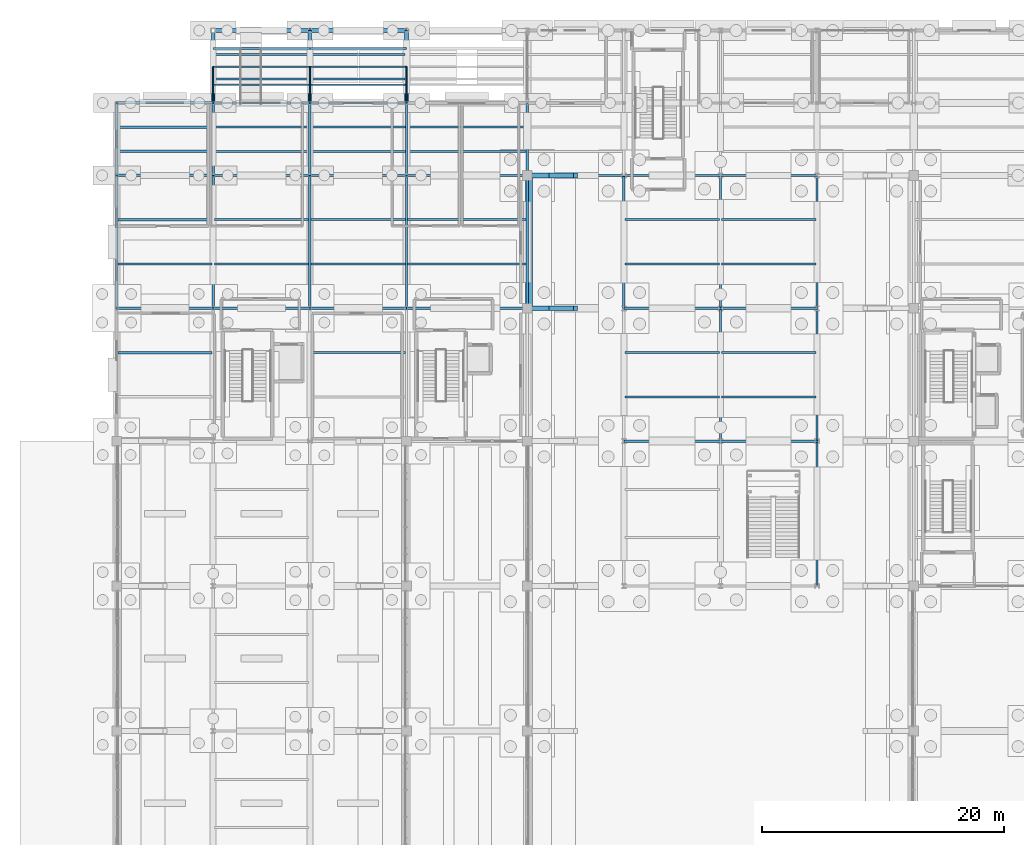
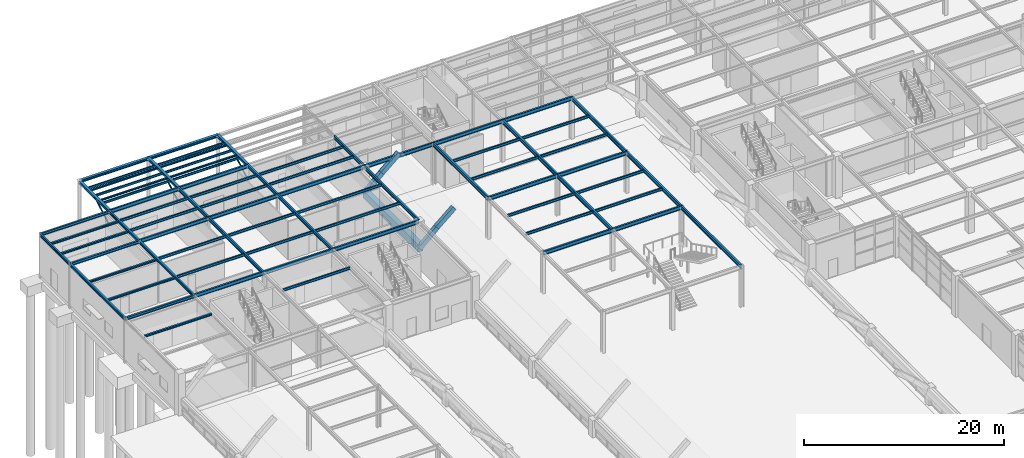
# One storey, part 56 of 129: 74 beams, 9 members.
"""IFC4 building model written with IfcOpenShell, lengths in metres."""

from ifc_helpers import new_model, si_unit, direction, frame, origin, origin_2d, place, context, subcontext, project, spatial, rectangle, hollow_circle, i_section, extrude, material, material_profile, profile_set, type_object, element, save


model = new_model("IFC4")

# Units and contexts
model_context = context("Model", 3, precision=1e-05, world=origin(), true_north=direction((0.0, 1.0)))
body_context = subcontext(model_context, "Body", "Model", "MODEL_VIEW")
ifc_project = project(units=[si_unit("LENGTHUNIT", "METRE"), si_unit("AREAUNIT", "SQUARE_METRE"), si_unit("VOLUMEUNIT", "CUBIC_METRE"), si_unit("PLANEANGLEUNIT", "RADIAN"), si_unit("MASSUNIT", "GRAM", prefix="KILO")], contexts=[model_context])

# Site, building, storey
site_placement = place(None, origin())
site = spatial("IfcSite", under=ifc_project, at=site_placement, CompositionType="ELEMENT")
building_placement = place(site_placement, origin())
building = spatial("IfcBuilding", under=site, at=building_placement, Name="Sitalva Quay Ferry Terminal", CompositionType="ELEMENT")
storey_placement = place(building_placement, origin())
storey = spatial("IfcBuildingStorey", under=building, at=storey_placement, Name="L01", CompositionType="ELEMENT", Elevation=0.0)

# Beams
ifc_material_1 = material(Name="Concrete C40/50", Category="concrete")
ifc_material_profile_1 = material_profile(ifc_material_1, rectangle(XDim=0.39990234375, YDim=0.550048828125, at=origin_2d()), Name="RC400x550")
ifc_profile_set_1 = profile_set([ifc_material_profile_1], Name="Concrete C40/50")
beam_type_1 = type_object("IfcBeamType", Name="Beam_Arch_RC400x550", PredefinedType="BEAM", material=ifc_profile_set_1)
beam_1_placement = place(storey_placement, frame((42.0, 89.0, 1.6044921875), z_axis=(0.725680279623, 0.0, 0.688032071757), x_axis=(0.0, 1.0, 0.0)))
element("IfcBeam", 1, at=beam_1_placement, inside=storey, type_object=beam_type_1, Name="Vault V1 transverse arch rib 8.1", PredefinedType="BEAM", context=body_context, shape_type="SweptSolid", body=[
    extrude(rectangle(XDim=0.39990234375, YDim=0.550048828125, at=origin_2d()), origin(), (0.0, 0.0, 1.0), 2.756103515625),
])
beam_2_placement = place(storey_placement, frame((44.0, 89.0, 3.5107421875), z_axis=(0.760297282494, 0.0, 0.649575278342), x_axis=(0.0, 1.0, 0.0)))
element("IfcBeam", 2, at=beam_2_placement, inside=storey, type_object=beam_type_1, Name="Vault V1 transverse arch rib 8.2", PredefinedType="BEAM", context=body_context, shape_type="SweptSolid", body=[
    extrude(rectangle(XDim=0.39990234375, YDim=0.550048828125, at=origin_2d()), origin(), (0.0, 0.0, 1.0), 2.630615234375),
])
beam_3_placement = place(storey_placement, frame((42.0, 100.0, 1.6044921875), z_axis=(0.725680279623, 0.0, 0.688032071757), x_axis=(0.0, 1.0, 0.0)))
element("IfcBeam", 3, at=beam_3_placement, inside=storey, type_object=beam_type_1, Name="Vault V1 transverse arch rib 9.1", PredefinedType="BEAM", context=body_context, shape_type="SweptSolid", body=[
    extrude(rectangle(XDim=0.39990234375, YDim=0.550048828125, at=origin_2d()), origin(), (0.0, 0.0, 1.0), 2.756103515625),
])
beam_4_placement = place(storey_placement, frame((44.0, 100.0, 3.5107421875), z_axis=(0.760297282494, 0.0, 0.649575278342), x_axis=(0.0, 1.0, 0.0)))
element("IfcBeam", 4, at=beam_4_placement, inside=storey, type_object=beam_type_1, Name="Vault V1 transverse arch rib 9.2", PredefinedType="BEAM", context=body_context, shape_type="SweptSolid", body=[
    extrude(rectangle(XDim=0.39990234375, YDim=0.550048828125, at=origin_2d()), origin(), (0.0, 0.0, 1.0), 2.630615234375),
])
ifc_material_2 = material(Name="Concrete C40/50", Category="concrete")
ifc_material_profile_2 = material_profile(ifc_material_2, rectangle(XDim=0.60009765625, YDim=0.949951171875, at=origin_2d()), Name="RC600x950")
ifc_profile_set_2 = profile_set([ifc_material_profile_2], Name="Concrete C40/50")
beam_type_2 = type_object("IfcBeamType", Name="Beam_Edge_RC600x950", PredefinedType="BEAM", material=ifc_profile_set_2)
beam_5_placement = place(storey_placement, frame((42.14990234375, 89.0, 1.625), z_axis=(0.0, 1.0, 0.0), x_axis=(-1.0, 0.0, 0.0)))
element("IfcBeam", 5, at=beam_5_placement, inside=storey, type_object=beam_type_2, Name="Vault V1 longitudinal springing edge beam W bay 8", PredefinedType="BEAM", context=body_context, shape_type="SweptSolid", body=[
    extrude(rectangle(XDim=0.60009765625, YDim=0.949951171875, at=origin_2d()), origin(), (0.0, 0.0, 1.0), 11.0),
])
ifc_material_3 = material(Name="Structural Steel S355JR", Category="steel")
ifc_material_profile_3 = material_profile(ifc_material_3, i_section(OverallWidth=0.305908203125, OverallDepth=0.31103515625, WebThickness=0.010986328125, FlangeThickness=0.01708984375, FilletRadius=0.014892578125, at=origin_2d()), Name="W310x107")
ifc_profile_set_3 = profile_set([ifc_material_profile_3], Name="Structural Steel S355JR")
beam_type_3 = type_object("IfcBeamType", Name="Beam_W310x107", PredefinedType="BEAM", material=ifc_profile_set_3)
for number, where, z_axis, x_axis, name in (
    (6, (16.0, 112.0, 4.964599609375), (1.0, 0.0, 0.0), (0.0, 1.0, 0.0), "L01 Primary X girder 0667"),
    (7, (24.0, 112.0, 4.964599609375), (1.0, 0.0, 0.0), (0.0, 1.0, 0.0), "L01 Primary X girder 0668"),
):
    element("IfcBeam", number, at=place(storey_placement, frame(where, z_axis=z_axis, x_axis=x_axis)), inside=storey, type_object=beam_type_3, Name=name, PredefinedType="BEAM", context=body_context, shape_type="SweptSolid", body=[
        extrude(i_section(OverallWidth=0.305908203125, OverallDepth=0.31103515625, WebThickness=0.010986328125, FlangeThickness=0.01708984375, FilletRadius=0.014892578125, at=origin_2d()), origin(), (0.0, 0.0, 1.0), 8.0),
    ])
for number, where, z_axis, x_axis, name in (
    (8, (16.0, 106.0, 4.964599609375), (0.0, 1.0, 0.0), (-1.0, 0.0, 0.0), "L01 Primary Y girder 0670"),
    (9, (24.0, 106.0, 4.964599609375), (0.0, 1.0, 0.0), (-1.0, 0.0, 0.0), "L01 Primary Y girder 0671"),
    (10, (32.0, 106.0, 4.964599609375), (0.0, 1.0, 0.0), (-1.0, 0.0, 0.0), "L01 Primary Y girder 0672"),
):
    element("IfcBeam", number, at=place(storey_placement, frame(where, z_axis=z_axis, x_axis=x_axis)), inside=storey, type_object=beam_type_3, Name=name, PredefinedType="BEAM", context=body_context, shape_type="SweptSolid", body=[
        extrude(i_section(OverallWidth=0.305908203125, OverallDepth=0.31103515625, WebThickness=0.010986328125, FlangeThickness=0.01708984375, FilletRadius=0.014892578125, at=origin_2d()), origin(), (0.0, 0.0, 1.0), 6.0),
    ])
ifc_material_4 = material(Name="Structural Steel S355JR", Category="steel")
ifc_material_profile_4 = material_profile(ifc_material_4, i_section(OverallWidth=0.205078125, OverallDepth=0.35400390625, WebThickness=0.009521484375, FlangeThickness=0.016845703125, FilletRadius=0.012939453125, at=origin_2d()), Name="W360x79")
ifc_profile_set_4 = profile_set([ifc_material_profile_4], Name="Structural Steel S355JR")
beam_type_4 = type_object("IfcBeamType", Name="Beam_W360x79", PredefinedType="BEAM", material=ifc_profile_set_4)
for number, where, z_axis, x_axis, name in (
    (11, (8.0, 89.0, 4.873046875), (1.0, 0.0, 0.0), (0.0, 1.0, 0.0), "L01 Primary X girder 0442"),
    (12, (8.0, 100.0, 4.873046875), (1.0, 0.0, 0.0), (0.0, 1.0, 0.0), "L01 Primary X girder 0443"),
    (13, (8.0, 106.0, 4.873046875), (1.0, 0.0, 0.0), (0.0, 1.0, 0.0), "L01 Primary X girder 0444"),
):
    element("IfcBeam", number, at=place(storey_placement, frame(where, z_axis=z_axis, x_axis=x_axis)), inside=storey, type_object=beam_type_4, Name=name, PredefinedType="BEAM", context=body_context, shape_type="SweptSolid", body=[
        extrude(i_section(OverallWidth=0.205078125, OverallDepth=0.35400390625, WebThickness=0.009521484375, FlangeThickness=0.016845703125, FilletRadius=0.012939453125, at=origin_2d()), origin(), (0.0, 0.0, 1.0), 8.0),
    ])
beam_6_placement = place(storey_placement, frame((8.0, 89.0, 4.873046875), z_axis=(0.0, 1.0, 0.0), x_axis=(-1.0, 0.0, 0.0)))
element("IfcBeam", 14, at=beam_6_placement, inside=storey, type_object=beam_type_4, Name="L01 Primary Y girder 0446", PredefinedType="BEAM", context=body_context, shape_type="SweptSolid", body=[
    extrude(i_section(OverallWidth=0.205078125, OverallDepth=0.35400390625, WebThickness=0.009521484375, FlangeThickness=0.016845703125, FilletRadius=0.012939453125, at=origin_2d()), origin(), (0.0, 0.0, 1.0), 11.0),
])
beam_7_placement = place(storey_placement, frame((8.0, 100.0, 4.873046875), z_axis=(0.0, 1.0, 0.0), x_axis=(-1.0, 0.0, 0.0)))
element("IfcBeam", 15, at=beam_7_placement, inside=storey, type_object=beam_type_4, Name="L01 Primary Y girder 0447", PredefinedType="BEAM", context=body_context, shape_type="SweptSolid", body=[
    extrude(i_section(OverallWidth=0.205078125, OverallDepth=0.35400390625, WebThickness=0.009521484375, FlangeThickness=0.016845703125, FilletRadius=0.012939453125, at=origin_2d()), origin(), (0.0, 0.0, 1.0), 6.0),
])
beam_8_placement = place(storey_placement, frame((16.0, 89.0, 4.873046875), z_axis=(0.0, 1.0, 0.0), x_axis=(-1.0, 0.0, 0.0)))
element("IfcBeam", 16, at=beam_8_placement, inside=storey, type_object=beam_type_4, Name="L01 Primary Y girder 0449", PredefinedType="BEAM", context=body_context, shape_type="SweptSolid", body=[
    extrude(i_section(OverallWidth=0.205078125, OverallDepth=0.35400390625, WebThickness=0.009521484375, FlangeThickness=0.016845703125, FilletRadius=0.012939453125, at=origin_2d()), origin(), (0.0, 0.0, 1.0), 11.0),
])
beam_9_placement = place(storey_placement, frame((16.0, 100.0, 4.873046875), z_axis=(0.0, 1.0, 0.0), x_axis=(-1.0, 0.0, 0.0)))
element("IfcBeam", 17, at=beam_9_placement, inside=storey, type_object=beam_type_4, Name="L01 Primary Y girder 0450", PredefinedType="BEAM", context=body_context, shape_type="SweptSolid", body=[
    extrude(i_section(OverallWidth=0.205078125, OverallDepth=0.35400390625, WebThickness=0.009521484375, FlangeThickness=0.016845703125, FilletRadius=0.012939453125, at=origin_2d()), origin(), (0.0, 0.0, 1.0), 6.0),
])
ifc_material_5 = material(Name="Structural Steel S355JR", Category="steel")
ifc_material_profile_5 = material_profile(ifc_material_5, i_section(OverallWidth=0.180908203125, OverallDepth=0.4169921875, WebThickness=0.010986328125, FlangeThickness=0.018310546875, FilletRadius=0.012939453125, at=origin_2d()), Name="W410x85")
ifc_profile_set_5 = profile_set([ifc_material_profile_5], Name="Structural Steel S355JR")
beam_type_5 = type_object("IfcBeamType", Name="Beam_W410x85", PredefinedType="BEAM", material=ifc_profile_set_5)
beam_10_placement = place(storey_placement, frame((24.0, 89.0, 4.91162109375), z_axis=(0.0, 1.0, 0.0), x_axis=(-1.0, 0.0, 0.0)))
element("IfcBeam", 18, at=beam_10_placement, inside=storey, type_object=beam_type_5, Name="L01 Primary Y girder 0469", PredefinedType="BEAM", context=body_context, shape_type="SweptSolid", body=[
    extrude(i_section(OverallWidth=0.180908203125, OverallDepth=0.4169921875, WebThickness=0.010986328125, FlangeThickness=0.018310546875, FilletRadius=0.012939453125, at=origin_2d()), origin(), (0.0, 0.0, 1.0), 11.0),
])
beam_11_placement = place(storey_placement, frame((24.0, 100.0, 4.91162109375), z_axis=(0.0, 1.0, 0.0), x_axis=(-1.0, 0.0, 0.0)))
element("IfcBeam", 19, at=beam_11_placement, inside=storey, type_object=beam_type_5, Name="L01 Primary Y girder 0470", PredefinedType="BEAM", context=body_context, shape_type="SweptSolid", body=[
    extrude(i_section(OverallWidth=0.180908203125, OverallDepth=0.4169921875, WebThickness=0.010986328125, FlangeThickness=0.018310546875, FilletRadius=0.012939453125, at=origin_2d()), origin(), (0.0, 0.0, 1.0), 6.0),
])
beam_12_placement = place(storey_placement, frame((32.0, 89.0, 4.91162109375), z_axis=(0.0, 1.0, 0.0), x_axis=(-1.0, 0.0, 0.0)))
element("IfcBeam", 20, at=beam_12_placement, inside=storey, type_object=beam_type_5, Name="L01 Primary Y girder 0472", PredefinedType="BEAM", context=body_context, shape_type="SweptSolid", body=[
    extrude(i_section(OverallWidth=0.180908203125, OverallDepth=0.4169921875, WebThickness=0.010986328125, FlangeThickness=0.018310546875, FilletRadius=0.012939453125, at=origin_2d()), origin(), (0.0, 0.0, 1.0), 11.0),
])
beam_13_placement = place(storey_placement, frame((32.0, 100.0, 4.91162109375), z_axis=(0.0, 1.0, 0.0), x_axis=(-1.0, 0.0, 0.0)))
element("IfcBeam", 21, at=beam_13_placement, inside=storey, type_object=beam_type_5, Name="L01 Primary Y girder 0473", PredefinedType="BEAM", context=body_context, shape_type="SweptSolid", body=[
    extrude(i_section(OverallWidth=0.180908203125, OverallDepth=0.4169921875, WebThickness=0.010986328125, FlangeThickness=0.018310546875, FilletRadius=0.012939453125, at=origin_2d()), origin(), (0.0, 0.0, 1.0), 6.0),
])
beam_14_placement = place(storey_placement, frame((42.0, 89.0, 4.91162109375), z_axis=(0.0, 1.0, 0.0), x_axis=(-1.0, 0.0, 0.0)))
element("IfcBeam", 22, at=beam_14_placement, inside=storey, type_object=beam_type_5, Name="L01 Primary Y girder 0475", PredefinedType="BEAM", context=body_context, shape_type="SweptSolid", body=[
    extrude(i_section(OverallWidth=0.180908203125, OverallDepth=0.4169921875, WebThickness=0.010986328125, FlangeThickness=0.018310546875, FilletRadius=0.012939453125, at=origin_2d()), origin(), (0.0, 0.0, 1.0), 11.0),
])
beam_15_placement = place(storey_placement, frame((42.0, 100.0, 4.91162109375), z_axis=(0.0, 1.0, 0.0), x_axis=(-1.0, 0.0, 0.0)))
element("IfcBeam", 23, at=beam_15_placement, inside=storey, type_object=beam_type_5, Name="L01 Primary Y girder 0476", PredefinedType="BEAM", context=body_context, shape_type="SweptSolid", body=[
    extrude(i_section(OverallWidth=0.180908203125, OverallDepth=0.4169921875, WebThickness=0.010986328125, FlangeThickness=0.018310546875, FilletRadius=0.012939453125, at=origin_2d()), origin(), (0.0, 0.0, 1.0), 6.0),
])
ifc_material_6 = material(Name="Structural Steel S355JR", Category="steel")
ifc_material_profile_6 = material_profile(ifc_material_6, i_section(OverallWidth=0.19091796875, OverallDepth=0.4599609375, WebThickness=0.010009765625, FlangeThickness=0.01611328125, FilletRadius=0.013916015625, at=origin_2d()), Name="W460x82")
ifc_profile_set_6 = profile_set([ifc_material_profile_6], Name="Structural Steel S355JR")
beam_type_6 = type_object("IfcBeamType", Name="Beam_W460x82", PredefinedType="BEAM", material=ifc_profile_set_6)
for number, where, z_axis, x_axis, name in (
    (24, (16.0, 89.0, 4.889892578125), (1.0, 0.0, 0.0), (0.0, 1.0, 0.0), "L01 Primary X girder 0459"),
    (25, (24.0, 89.0, 4.889892578125), (1.0, 0.0, 0.0), (0.0, 1.0, 0.0), "L01 Primary X girder 0460"),
):
    element("IfcBeam", number, at=place(storey_placement, frame(where, z_axis=z_axis, x_axis=x_axis)), inside=storey, type_object=beam_type_6, Name=name, PredefinedType="BEAM", context=body_context, shape_type="SweptSolid", body=[
        extrude(i_section(OverallWidth=0.19091796875, OverallDepth=0.4599609375, WebThickness=0.010009765625, FlangeThickness=0.01611328125, FilletRadius=0.013916015625, at=origin_2d()), origin(), (0.0, 0.0, 1.0), 8.0),
    ])
beam_16_placement = place(storey_placement, frame((32.0, 89.0, 4.889892578125), z_axis=(1.0, 0.0, 0.0), x_axis=(0.0, 1.0, 0.0)))
element("IfcBeam", 26, at=beam_16_placement, inside=storey, type_object=beam_type_6, Name="L01 Primary X girder 0461", PredefinedType="BEAM", context=body_context, shape_type="SweptSolid", body=[
    extrude(i_section(OverallWidth=0.19091796875, OverallDepth=0.4599609375, WebThickness=0.010009765625, FlangeThickness=0.01611328125, FilletRadius=0.013916015625, at=origin_2d()), origin(), (0.0, 0.0, 1.0), 10.0),
])
for number, where, z_axis, x_axis, name in (
    (27, (16.0, 100.0, 4.889892578125), (1.0, 0.0, 0.0), (0.0, 1.0, 0.0), "L01 Primary X girder 0462"),
    (28, (24.0, 100.0, 4.889892578125), (1.0, 0.0, 0.0), (0.0, 1.0, 0.0), "L01 Primary X girder 0463"),
):
    element("IfcBeam", number, at=place(storey_placement, frame(where, z_axis=z_axis, x_axis=x_axis)), inside=storey, type_object=beam_type_6, Name=name, PredefinedType="BEAM", context=body_context, shape_type="SweptSolid", body=[
        extrude(i_section(OverallWidth=0.19091796875, OverallDepth=0.4599609375, WebThickness=0.010009765625, FlangeThickness=0.01611328125, FilletRadius=0.013916015625, at=origin_2d()), origin(), (0.0, 0.0, 1.0), 8.0),
    ])
beam_17_placement = place(storey_placement, frame((32.0, 100.0, 4.889892578125), z_axis=(1.0, 0.0, 0.0), x_axis=(0.0, 1.0, 0.0)))
element("IfcBeam", 29, at=beam_17_placement, inside=storey, type_object=beam_type_6, Name="L01 Primary X girder 0464", PredefinedType="BEAM", context=body_context, shape_type="SweptSolid", body=[
    extrude(i_section(OverallWidth=0.19091796875, OverallDepth=0.4599609375, WebThickness=0.010009765625, FlangeThickness=0.01611328125, FilletRadius=0.013916015625, at=origin_2d()), origin(), (0.0, 0.0, 1.0), 10.0),
])
for number, where, z_axis, x_axis, name in (
    (30, (16.0, 106.0, 4.889892578125), (1.0, 0.0, 0.0), (0.0, 1.0, 0.0), "L01 Primary X girder 0465"),
    (31, (24.0, 106.0, 4.889892578125), (1.0, 0.0, 0.0), (0.0, 1.0, 0.0), "L01 Primary X girder 0466"),
    (32, (42.0, 100.0, 4.889892578125), (1.0, 0.0, 0.0), (0.0, 1.0, 0.0), "L01 Primary X girder 0618"),
):
    element("IfcBeam", number, at=place(storey_placement, frame(where, z_axis=z_axis, x_axis=x_axis)), inside=storey, type_object=beam_type_6, Name=name, PredefinedType="BEAM", context=body_context, shape_type="SweptSolid", body=[
        extrude(i_section(OverallWidth=0.19091796875, OverallDepth=0.4599609375, WebThickness=0.010009765625, FlangeThickness=0.01611328125, FilletRadius=0.013916015625, at=origin_2d()), origin(), (0.0, 0.0, 1.0), 8.0),
    ])
ifc_material_7 = material(Name="Structural Steel S355JR", Category="steel")
ifc_material_profile_7 = material_profile(ifc_material_7, i_section(OverallWidth=0.194091796875, OverallDepth=0.468994140625, WebThickness=0.0126953125, FlangeThickness=0.0205078125, FilletRadius=0.013916015625, at=origin_2d()), Name="W460x106")
ifc_profile_set_7 = profile_set([ifc_material_profile_7], Name="Structural Steel S355JR")
beam_type_7 = type_object("IfcBeamType", Name="Girder_W460x106", PredefinedType="USERDEFINED", material=ifc_profile_set_7)
for number, where, z_axis, x_axis, name in (
    (33, (50.0, 78.0, 4.885498046875), (1.0, 0.0, 0.0), (0.0, 1.0, 0.0), "L01 Primary X girder 0148"),
    (34, (58.0, 78.0, 4.885498046875), (1.0, 0.0, 0.0), (0.0, 1.0, 0.0), "L01 Primary X girder 0149"),
    (35, (50.0, 89.0, 4.885498046875), (1.0, 0.0, 0.0), (0.0, 1.0, 0.0), "L01 Primary X girder 0150"),
    (36, (58.0, 89.0, 4.885498046875), (1.0, 0.0, 0.0), (0.0, 1.0, 0.0), "L01 Primary X girder 0151"),
    (37, (50.0, 100.0, 4.885498046875), (1.0, 0.0, 0.0), (0.0, 1.0, 0.0), "L01 Primary X girder 0152"),
    (38, (58.0, 100.0, 4.885498046875), (1.0, 0.0, 0.0), (0.0, 1.0, 0.0), "L01 Primary X girder 0153"),
):
    element("IfcBeam", number, at=place(storey_placement, frame(where, z_axis=z_axis, x_axis=x_axis)), inside=storey, type_object=beam_type_7, Name=name, ObjectType="GIRDER", PredefinedType="USERDEFINED", context=body_context, shape_type="SweptSolid", body=[
        extrude(i_section(OverallWidth=0.194091796875, OverallDepth=0.468994140625, WebThickness=0.0126953125, FlangeThickness=0.0205078125, FilletRadius=0.013916015625, at=origin_2d()), origin(), (0.0, 0.0, 1.0), 8.0),
    ])
for number, where, z_axis, x_axis, name in (
    (39, (50.0, 89.0, 4.885498046875), (0.0, 1.0, 0.0), (-1.0, 0.0, 0.0), "L01 Primary Y girder 0156"),
    (40, (58.0, 78.0, 4.885498046875), (0.0, 1.0, 0.0), (-1.0, 0.0, 0.0), "L01 Primary Y girder 0158"),
    (41, (58.0, 89.0, 4.885498046875), (0.0, 1.0, 0.0), (-1.0, 0.0, 0.0), "L01 Primary Y girder 0159"),
):
    element("IfcBeam", number, at=place(storey_placement, frame(where, z_axis=z_axis, x_axis=x_axis)), inside=storey, type_object=beam_type_7, Name=name, ObjectType="GIRDER", PredefinedType="USERDEFINED", context=body_context, shape_type="SweptSolid", body=[
        extrude(i_section(OverallWidth=0.194091796875, OverallDepth=0.468994140625, WebThickness=0.0126953125, FlangeThickness=0.0205078125, FilletRadius=0.013916015625, at=origin_2d()), origin(), (0.0, 0.0, 1.0), 11.0),
    ])
beam_18_placement = place(storey_placement, frame((66.0, 66.0, 4.885498046875), z_axis=(0.0, 1.0, 0.0), x_axis=(-1.0, 0.0, 0.0)))
element("IfcBeam", 42, at=beam_18_placement, inside=storey, type_object=beam_type_7, Name="L01 Primary Y girder 0160", ObjectType="GIRDER", PredefinedType="USERDEFINED", context=body_context, shape_type="SweptSolid", body=[
    extrude(i_section(OverallWidth=0.194091796875, OverallDepth=0.468994140625, WebThickness=0.0126953125, FlangeThickness=0.0205078125, FilletRadius=0.013916015625, at=origin_2d()), origin(), (0.0, 0.0, 1.0), 12.0),
])
for number, where, z_axis, x_axis, name in (
    (43, (66.0, 78.0, 4.885498046875), (0.0, 1.0, 0.0), (-1.0, 0.0, 0.0), "L01 Primary Y girder 0161"),
    (44, (66.0, 89.0, 4.885498046875), (0.0, 1.0, 0.0), (-1.0, 0.0, 0.0), "L01 Primary Y girder 0162"),
):
    element("IfcBeam", number, at=place(storey_placement, frame(where, z_axis=z_axis, x_axis=x_axis)), inside=storey, type_object=beam_type_7, Name=name, ObjectType="GIRDER", PredefinedType="USERDEFINED", context=body_context, shape_type="SweptSolid", body=[
        extrude(i_section(OverallWidth=0.194091796875, OverallDepth=0.468994140625, WebThickness=0.0126953125, FlangeThickness=0.0205078125, FilletRadius=0.013916015625, at=origin_2d()), origin(), (0.0, 0.0, 1.0), 11.0),
    ])
ifc_material_8 = material(Name="Structural Steel S355JR", Category="steel")
ifc_material_profile_8 = material_profile(ifc_material_8, i_section(OverallWidth=0.1650390625, OverallDepth=0.200927734375, WebThickness=0.006103515625, FlangeThickness=0.01025390625, FilletRadius=0.010009765625, at=origin_2d()), Name="W200x36")
ifc_profile_set_8 = profile_set([ifc_material_profile_8], Name="Structural Steel S355JR")
beam_type_8 = type_object("IfcBeamType", Name="Joist_W200x36", PredefinedType="JOIST", material=ifc_profile_set_8)
for number, where, z_axis, x_axis, name in (
    (45, (16.10009765625, 108.0, 5.01953125), (1.0, 0.0, 0.0), (0.0, 1.0, 0.0), "L01 Secondary joist 0673"),
    (46, (24.10009765625, 108.0, 5.01953125), (1.0, 0.0, 0.0), (0.0, 1.0, 0.0), "L01 Secondary joist 0674"),
    (47, (16.10009765625, 110.0, 5.01953125), (1.0, 0.0, 0.0), (0.0, 1.0, 0.0), "L01 Secondary joist 0676"),
    (48, (24.10009765625, 110.0, 5.01953125), (1.0, 0.0, 0.0), (0.0, 1.0, 0.0), "L01 Secondary joist 0677"),
):
    element("IfcBeam", number, at=place(storey_placement, frame(where, z_axis=z_axis, x_axis=x_axis)), inside=storey, type_object=beam_type_8, Name=name, PredefinedType="JOIST", context=body_context, shape_type="SweptSolid", body=[
        extrude(i_section(OverallWidth=0.1650390625, OverallDepth=0.200927734375, WebThickness=0.006103515625, FlangeThickness=0.01025390625, FilletRadius=0.010009765625, at=origin_2d()), origin(), (0.0, 0.0, 1.0), 7.7998046875),
    ])
ifc_material_9 = material(Name="Structural Steel S355JR", Category="steel")
ifc_material_profile_9 = material_profile(ifc_material_9, i_section(OverallWidth=0.201904296875, OverallDepth=0.2470703125, WebThickness=0.00732421875, FlangeThickness=0.010986328125, FilletRadius=0.010986328125, at=origin_2d()), Name="W250x49")
ifc_profile_set_9 = profile_set([ifc_material_profile_9], Name="Structural Steel S355JR")
beam_type_9 = type_object("IfcBeamType", Name="Joist_W250x49", PredefinedType="JOIST", material=ifc_profile_set_9)
for number, where, z_axis, x_axis, name in (
    (49, (8.10009765625, 85.333251953125, 4.926513671875), (1.0, 0.0, 0.0), (0.0, 1.0, 0.0), "L01 Secondary joist 0452"),
    (50, (8.10009765625, 92.666748046875, 4.926513671875), (1.0, 0.0, 0.0), (0.0, 1.0, 0.0), "L01 Secondary joist 0453"),
    (51, (8.10009765625, 96.333251953125, 4.926513671875), (1.0, 0.0, 0.0), (0.0, 1.0, 0.0), "L01 Secondary joist 0454"),
    (52, (8.10009765625, 102.0, 4.926513671875), (1.0, 0.0, 0.0), (0.0, 1.0, 0.0), "L01 Secondary joist 0455"),
    (53, (8.10009765625, 104.0, 4.926513671875), (1.0, 0.0, 0.0), (0.0, 1.0, 0.0), "L01 Secondary joist 0456"),
):
    element("IfcBeam", number, at=place(storey_placement, frame(where, z_axis=z_axis, x_axis=x_axis)), inside=storey, type_object=beam_type_9, Name=name, PredefinedType="JOIST", context=body_context, shape_type="SweptSolid", body=[
        extrude(i_section(OverallWidth=0.201904296875, OverallDepth=0.2470703125, WebThickness=0.00732421875, FlangeThickness=0.010986328125, FilletRadius=0.010986328125, at=origin_2d()), origin(), (0.0, 0.0, 1.0), 7.7998046875),
    ])
ifc_material_10 = material(Name="Structural Steel S355JR", Category="steel")
ifc_material_profile_10 = material_profile(ifc_material_10, i_section(OverallWidth=0.166015625, OverallDepth=0.31298828125, WebThickness=0.006591796875, FlangeThickness=0.01123046875, FilletRadius=0.010986328125, at=origin_2d()), Name="W310x45")
ifc_profile_set_10 = profile_set([ifc_material_profile_10], Name="Structural Steel S355JR")
beam_type_10 = type_object("IfcBeamType", Name="Joist_W310x45", PredefinedType="JOIST", material=ifc_profile_set_10)
for number, where, z_axis, x_axis, name in (
    (54, (50.096923828125, 81.666748046875, 4.96337890625), (1.0, 0.0, 0.0), (0.0, 1.0, 0.0), "L01 Secondary joist 0165"),
    (55, (58.096923828125, 81.666748046875, 4.96337890625), (1.0, 0.0, 0.0), (0.0, 1.0, 0.0), "L01 Secondary joist 0166"),
    (56, (50.096923828125, 85.333251953125, 4.96337890625), (1.0, 0.0, 0.0), (0.0, 1.0, 0.0), "L01 Secondary joist 0167"),
    (57, (58.096923828125, 85.333251953125, 4.96337890625), (1.0, 0.0, 0.0), (0.0, 1.0, 0.0), "L01 Secondary joist 0168"),
    (58, (50.096923828125, 92.666748046875, 4.96337890625), (1.0, 0.0, 0.0), (0.0, 1.0, 0.0), "L01 Secondary joist 0169"),
    (59, (58.096923828125, 92.666748046875, 4.96337890625), (1.0, 0.0, 0.0), (0.0, 1.0, 0.0), "L01 Secondary joist 0170"),
    (60, (50.096923828125, 96.333251953125, 4.96337890625), (1.0, 0.0, 0.0), (0.0, 1.0, 0.0), "L01 Secondary joist 0171"),
    (61, (58.096923828125, 96.333251953125, 4.96337890625), (1.0, 0.0, 0.0), (0.0, 1.0, 0.0), "L01 Secondary joist 0172"),
):
    element("IfcBeam", number, at=place(storey_placement, frame(where, z_axis=z_axis, x_axis=x_axis)), inside=storey, type_object=beam_type_10, Name=name, PredefinedType="JOIST", context=body_context, shape_type="SweptSolid", body=[
        extrude(i_section(OverallWidth=0.166015625, OverallDepth=0.31298828125, WebThickness=0.006591796875, FlangeThickness=0.01123046875, FilletRadius=0.010986328125, at=origin_2d()), origin(), (0.0, 0.0, 1.0), 7.80615234375),
    ])
for number, where, z_axis, x_axis, name in (
    (62, (24.090576171875, 85.333251953125, 4.96337890625), (1.0, 0.0, 0.0), (0.0, 1.0, 0.0), "L01 Secondary joist 0478"),
    (63, (16.090576171875, 92.666748046875, 4.96337890625), (1.0, 0.0, 0.0), (0.0, 1.0, 0.0), "L01 Secondary joist 0479"),
    (64, (24.090576171875, 92.666748046875, 4.96337890625), (1.0, 0.0, 0.0), (0.0, 1.0, 0.0), "L01 Secondary joist 0480"),
):
    element("IfcBeam", number, at=place(storey_placement, frame(where, z_axis=z_axis, x_axis=x_axis)), inside=storey, type_object=beam_type_10, Name=name, PredefinedType="JOIST", context=body_context, shape_type="SweptSolid", body=[
        extrude(i_section(OverallWidth=0.166015625, OverallDepth=0.31298828125, WebThickness=0.006591796875, FlangeThickness=0.01123046875, FilletRadius=0.010986328125, at=origin_2d()), origin(), (0.0, 0.0, 1.0), 7.81884765625),
    ])
beam_19_placement = place(storey_placement, frame((32.090576171875, 92.666748046875, 4.96337890625), z_axis=(1.0, 0.0, 0.0), x_axis=(0.0, 1.0, 0.0)))
element("IfcBeam", 65, at=beam_19_placement, inside=storey, type_object=beam_type_10, Name="L01 Secondary joist 0481", PredefinedType="JOIST", context=body_context, shape_type="SweptSolid", body=[
    extrude(i_section(OverallWidth=0.166015625, OverallDepth=0.31298828125, WebThickness=0.006591796875, FlangeThickness=0.01123046875, FilletRadius=0.010986328125, at=origin_2d()), origin(), (0.0, 0.0, 1.0), 9.81884765625),
])
for number, where, z_axis, x_axis, name in (
    (66, (16.090576171875, 96.333251953125, 4.96337890625), (1.0, 0.0, 0.0), (0.0, 1.0, 0.0), "L01 Secondary joist 0482"),
    (67, (24.090576171875, 96.333251953125, 4.96337890625), (1.0, 0.0, 0.0), (0.0, 1.0, 0.0), "L01 Secondary joist 0483"),
):
    element("IfcBeam", number, at=place(storey_placement, frame(where, z_axis=z_axis, x_axis=x_axis)), inside=storey, type_object=beam_type_10, Name=name, PredefinedType="JOIST", context=body_context, shape_type="SweptSolid", body=[
        extrude(i_section(OverallWidth=0.166015625, OverallDepth=0.31298828125, WebThickness=0.006591796875, FlangeThickness=0.01123046875, FilletRadius=0.010986328125, at=origin_2d()), origin(), (0.0, 0.0, 1.0), 7.81884765625),
    ])
beam_20_placement = place(storey_placement, frame((32.090576171875, 96.333251953125, 4.96337890625), z_axis=(1.0, 0.0, 0.0), x_axis=(0.0, 1.0, 0.0)))
element("IfcBeam", 68, at=beam_20_placement, inside=storey, type_object=beam_type_10, Name="L01 Secondary joist 0484", PredefinedType="JOIST", context=body_context, shape_type="SweptSolid", body=[
    extrude(i_section(OverallWidth=0.166015625, OverallDepth=0.31298828125, WebThickness=0.006591796875, FlangeThickness=0.01123046875, FilletRadius=0.010986328125, at=origin_2d()), origin(), (0.0, 0.0, 1.0), 9.81884765625),
])
for number, where, z_axis, x_axis, name in (
    (69, (16.090576171875, 102.0, 4.96337890625), (1.0, 0.0, 0.0), (0.0, 1.0, 0.0), "L01 Secondary joist 0485"),
    (70, (24.090576171875, 102.0, 4.96337890625), (1.0, 0.0, 0.0), (0.0, 1.0, 0.0), "L01 Secondary joist 0486"),
):
    element("IfcBeam", number, at=place(storey_placement, frame(where, z_axis=z_axis, x_axis=x_axis)), inside=storey, type_object=beam_type_10, Name=name, PredefinedType="JOIST", context=body_context, shape_type="SweptSolid", body=[
        extrude(i_section(OverallWidth=0.166015625, OverallDepth=0.31298828125, WebThickness=0.006591796875, FlangeThickness=0.01123046875, FilletRadius=0.010986328125, at=origin_2d()), origin(), (0.0, 0.0, 1.0), 7.81884765625),
    ])
beam_21_placement = place(storey_placement, frame((32.090576171875, 102.0, 4.96337890625), z_axis=(1.0, 0.0, 0.0), x_axis=(0.0, 1.0, 0.0)))
element("IfcBeam", 71, at=beam_21_placement, inside=storey, type_object=beam_type_10, Name="L01 Secondary joist 0487", PredefinedType="JOIST", context=body_context, shape_type="SweptSolid", body=[
    extrude(i_section(OverallWidth=0.166015625, OverallDepth=0.31298828125, WebThickness=0.006591796875, FlangeThickness=0.01123046875, FilletRadius=0.010986328125, at=origin_2d()), origin(), (0.0, 0.0, 1.0), 9.81884765625),
])
for number, where, z_axis, x_axis, name in (
    (72, (16.090576171875, 104.0, 4.96337890625), (1.0, 0.0, 0.0), (0.0, 1.0, 0.0), "L01 Secondary joist 0488"),
    (73, (24.090576171875, 104.0, 4.96337890625), (1.0, 0.0, 0.0), (0.0, 1.0, 0.0), "L01 Secondary joist 0489"),
):
    element("IfcBeam", number, at=place(storey_placement, frame(where, z_axis=z_axis, x_axis=x_axis)), inside=storey, type_object=beam_type_10, Name=name, PredefinedType="JOIST", context=body_context, shape_type="SweptSolid", body=[
        extrude(i_section(OverallWidth=0.166015625, OverallDepth=0.31298828125, WebThickness=0.006591796875, FlangeThickness=0.01123046875, FilletRadius=0.010986328125, at=origin_2d()), origin(), (0.0, 0.0, 1.0), 7.81884765625),
    ])
beam_22_placement = place(storey_placement, frame((32.090576171875, 104.0, 4.96337890625), z_axis=(1.0, 0.0, 0.0), x_axis=(0.0, 1.0, 0.0)))
element("IfcBeam", 74, at=beam_22_placement, inside=storey, type_object=beam_type_10, Name="L01 Secondary joist 0490", PredefinedType="JOIST", context=body_context, shape_type="SweptSolid", body=[
    extrude(i_section(OverallWidth=0.166015625, OverallDepth=0.31298828125, WebThickness=0.006591796875, FlangeThickness=0.01123046875, FilletRadius=0.010986328125, at=origin_2d()), origin(), (0.0, 0.0, 1.0), 9.81884765625),
])

# Members
ifc_material_11 = material(Name="Structural Steel S355JR", Category="steel")
ifc_material_profile_11 = material_profile(ifc_material_11, i_section(OverallWidth=0.14697265625, OverallDepth=0.261962890625, WebThickness=0.006591796875, FlangeThickness=0.01123046875, FilletRadius=0.010009765625, at=origin_2d()), Name="W250x39")
ifc_profile_set_11 = profile_set([ifc_material_profile_11], Name="Structural Steel S355JR")
member_type_1 = type_object("IfcMemberType", Name="Purlin_W250x39", PredefinedType="PURLIN", material=ifc_profile_set_11)
for number, where, z_axis, x_axis, name in (
    (75, (16.0, 107.5, 4.989013671875), (1.0, 0.0, 0.0), (0.0, 1.0, 0.0), "Entrance canopy W purlin"),
    (76, (16.0, 109.0, 4.989013671875), (1.0, 0.0, 0.0), (0.0, 1.0, 0.0), "Entrance canopy W purlin"),
    (77, (16.0, 110.5, 4.989013671875), (1.0, 0.0, 0.0), (0.0, 1.0, 0.0), "Entrance canopy W purlin"),
    (78, (24.0, 107.5, 4.989013671875), (1.0, 0.0, 0.0), (0.0, 1.0, 0.0), "Entrance canopy W purlin"),
    (79, (24.0, 109.0, 4.989013671875), (1.0, 0.0, 0.0), (0.0, 1.0, 0.0), "Entrance canopy W purlin"),
    (80, (24.0, 110.5, 4.989013671875), (1.0, 0.0, 0.0), (0.0, 1.0, 0.0), "Entrance canopy W purlin"),
):
    element("IfcMember", number, at=place(storey_placement, frame(where, z_axis=z_axis, x_axis=x_axis)), inside=storey, type_object=member_type_1, Name=name, PredefinedType="PURLIN", context=body_context, shape_type="SweptSolid", body=[
        extrude(i_section(OverallWidth=0.14697265625, OverallDepth=0.261962890625, WebThickness=0.006591796875, FlangeThickness=0.01123046875, FilletRadius=0.010009765625, at=origin_2d()), origin(), (0.0, 0.0, 1.0), 8.0),
    ])
ifc_material_12 = material(Name="Structural Steel S355JR", Category="steel")
ifc_material_profile_12 = material_profile(ifc_material_12, hollow_circle(Radius=0.084228515625, WallThickness=0.008056640625, at=origin_2d()), Name="CHS168x8")
ifc_profile_set_12 = profile_set([ifc_material_profile_12], Name="Structural Steel S355JR")
member_type_2 = type_object("IfcMemberType", Name="Strut_CHS168x8", PredefinedType="STRUT", material=ifc_profile_set_12)
for number, where, z_axis, x_axis, name in (
    (81, (16.0, 106.0, 3.199951171875), (0.0, 0.863778900898, 0.503871025524), (-1.0, 0.0, 0.0), "Entrance canopy W raking strut"),
    (82, (24.0, 106.0, 3.199951171875), (0.0, 0.863778900898, 0.503871025524), (-1.0, 0.0, 0.0), "Entrance canopy W raking strut"),
    (83, (32.0, 106.0, 3.199951171875), (0.0, 0.863778900898, 0.503871025524), (-1.0, 0.0, 0.0), "Entrance canopy W raking strut"),
):
    element("IfcMember", number, at=place(storey_placement, frame(where, z_axis=z_axis, x_axis=x_axis)), inside=storey, type_object=member_type_2, Name=name, PredefinedType="STRUT", context=body_context, shape_type="SweptSolid", body=[
        extrude(hollow_circle(Radius=0.084228515625, WallThickness=0.008056640625, at=origin_2d()), origin(), (0.0, 0.0, 1.0), 3.47314453125),
    ])

save(model, "model.ifc")
